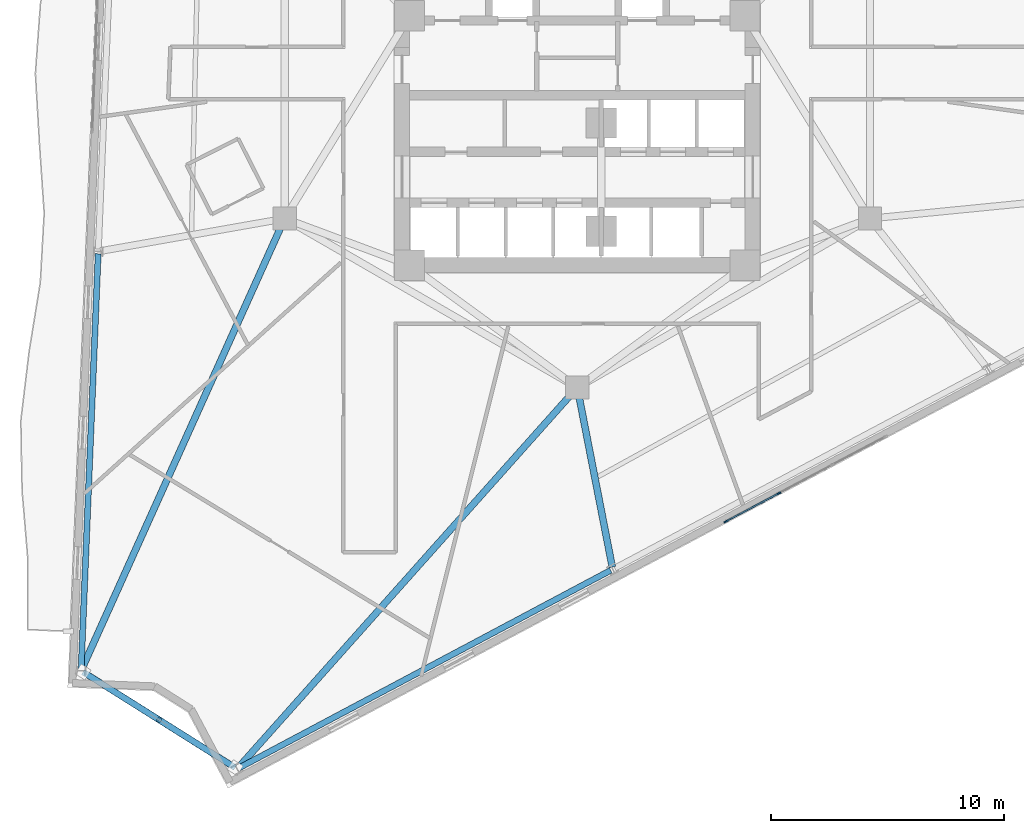
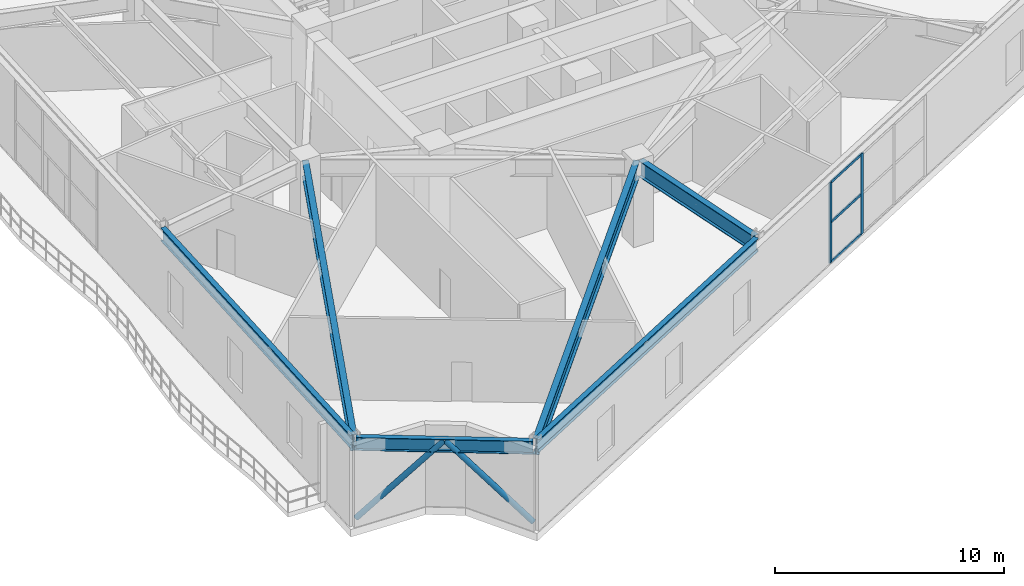
# One storey, part 3 of 22: 7 members, 6 beams, 1 element without a shape of its own.
"""IFC4 building model written with IfcOpenShell, lengths in metres."""

from ifc_helpers import new_model, si_unit, direction, frame, origin, origin_2d, place, context, subcontext, project, spatial, rectangle, hollow_circle, i_section, extrude, material, layer, layer_set, material_profile, profile_set, type_object, element, aggregate, save


model = new_model("IFC4")

# Units and contexts
model_context = context("Model", 3, precision=1e-05, world=origin(), true_north=direction((0.0, 1.0)))
body_context = subcontext(model_context, "Body", "Model", "MODEL_VIEW")
ifc_project = project(units=[si_unit("LENGTHUNIT", "METRE"), si_unit("AREAUNIT", "SQUARE_METRE"), si_unit("VOLUMEUNIT", "CUBIC_METRE"), si_unit("PLANEANGLEUNIT", "RADIAN"), si_unit("MASSUNIT", "GRAM", prefix="KILO")], contexts=[model_context])

# Site, building, storey
site_placement = place(None, origin())
site = spatial("IfcSite", under=ifc_project, at=site_placement, CompositionType="ELEMENT")
building_placement = place(site_placement, origin())
building = spatial("IfcBuilding", under=site, at=building_placement, Name="Apsidion Concourse Tower", CompositionType="ELEMENT")
storey_placement = place(building_placement, frame((0.0, 0.0, 160.89990234375)))
storey = spatial("IfcBuildingStorey", under=building, at=storey_placement, Name="L37", CompositionType="ELEMENT", Elevation=160.89990234375)

# Beams
ifc_material_1 = material(Name="Structural steel ASTM A992 Grade 50", Category="steel")
ifc_material_profile_1 = material_profile(ifc_material_1, i_section(OverallWidth=0.2919921875, OverallDepth=0.85888671875, WebThickness=0.01708984375, FlangeThickness=0.031005859375, at=origin_2d()), Name="W33X169")
ifc_profile_set_1 = profile_set([ifc_material_profile_1], Name="Structural steel ASTM A992 Grade 50")
beam_type_1 = type_object("IfcBeamType", Name="BM-G-W33", PredefinedType="USERDEFINED", material=ifc_profile_set_1)
beam_1_placement = place(storey_placement, frame((-12.650390625, -7.45068359375, 3.920654296875), z_axis=(-0.410615485001, -0.911808600243, 0.0), x_axis=(0.911808600243, -0.410615485001, 0.0)))
element("IfcBeam", 1, at=beam_1_placement, inside=storey, type_object=beam_type_1, Name="L37 Radial Floor Girder RAD-04", ObjectType="GIRDER", PredefinedType="USERDEFINED", context=body_context, shape_type="SweptSolid", body=[
    extrude(i_section(OverallWidth=0.2919921875, OverallDepth=0.85888671875, WebThickness=0.01708984375, FlangeThickness=0.031005859375, at=origin_2d()), origin(), (0.0, 0.0, 1.0), 20.964599609375),
])
beam_2_placement = place(storey_placement, frame((-0.146484375, -14.664306640625, 3.920654296875), z_axis=(-0.665534428073, -0.746367151642, 0.0), x_axis=(0.746367151642, -0.665534428073, 0.0)))
element("IfcBeam", 2, at=beam_2_placement, inside=storey, type_object=beam_type_1, Name="L37 Radial Floor Girder RAD-05", ObjectType="GIRDER", PredefinedType="USERDEFINED", context=body_context, shape_type="SweptSolid", body=[
    extrude(i_section(OverallWidth=0.2919921875, OverallDepth=0.85888671875, WebThickness=0.01708984375, FlangeThickness=0.031005859375, at=origin_2d()), origin(), (0.0, 0.0, 1.0), 21.616455078125),
])
beam_3_placement = place(storey_placement, frame((0.0419921875, -14.7158203125, 3.920654296875), z_axis=(0.191214845848, -0.981548207032, 0.0), x_axis=(0.981548207032, 0.191214845848, 0.0)))
element("IfcBeam", 3, at=beam_3_placement, inside=storey, type_object=beam_type_1, Name="L37 Radial Floor Girder RAD-06", ObjectType="GIRDER", PredefinedType="USERDEFINED", context=body_context, shape_type="SweptSolid", body=[
    extrude(i_section(OverallWidth=0.2919921875, OverallDepth=0.85888671875, WebThickness=0.01708984375, FlangeThickness=0.031005859375, at=origin_2d()), origin(), (0.0, 0.0, 1.0), 7.62890625),
])
ifc_material_profile_2 = material_profile(ifc_material_1, i_section(OverallWidth=0.256103515625, OverallDepth=0.693115234375, WebThickness=0.014404296875, FlangeThickness=0.023681640625, at=origin_2d()), Name="W27X114")
ifc_profile_set_2 = profile_set([ifc_material_profile_2], Name="Structural steel ASTM A992 Grade 50")
beam_type_2 = type_object("IfcBeamType", Name="BM-SP-W27", PredefinedType="SPANDREL", material=ifc_profile_set_2)
beam_4_placement = place(storey_placement, frame((-20.566162109375, -8.76123046875, 4.003662109375), z_axis=(-0.040970317559, -0.999160364045, 0.0), x_axis=(0.999160364045, -0.040970317559, 0.0)))
element("IfcBeam", 4, at=beam_4_placement, inside=storey, type_object=beam_type_2, Name="L37 Perimeter Spandrel Girder SP-03", PredefinedType="SPANDREL", context=body_context, shape_type="SweptSolid", body=[
    extrude(i_section(OverallWidth=0.256103515625, OverallDepth=0.693115234375, WebThickness=0.014404296875, FlangeThickness=0.023681640625, at=origin_2d()), origin(), (0.0, 0.0, 1.0), 17.811279296875),
])
beam_5_placement = place(storey_placement, frame((-21.21533203125, -26.710693359375, 4.003662109375), z_axis=(0.846430391353, -0.532499382718, 0.0), x_axis=(0.532499382718, 0.846430391353, 0.0)))
element("IfcBeam", 5, at=beam_5_placement, inside=storey, type_object=beam_type_2, Name="L37 Perimeter Spandrel Girder SP-04", PredefinedType="SPANDREL", context=body_context, shape_type="SweptSolid", body=[
    extrude(i_section(OverallWidth=0.256103515625, OverallDepth=0.693115234375, WebThickness=0.014404296875, FlangeThickness=0.023681640625, at=origin_2d()), origin(), (0.0, 0.0, 1.0), 7.71630859375),
])
beam_6_placement = place(storey_placement, frame((-14.51123046875, -30.825927734375, 4.003662109375), z_axis=(0.882942871348, 0.46948044255, 0.0), x_axis=(-0.46948044255, 0.882942871348, 0.0)))
element("IfcBeam", 6, at=beam_6_placement, inside=storey, type_object=beam_type_2, Name="L37 Perimeter Spandrel Girder SP-05", PredefinedType="SPANDREL", context=body_context, shape_type="SweptSolid", body=[
    extrude(i_section(OverallWidth=0.256103515625, OverallDepth=0.693115234375, WebThickness=0.014404296875, FlangeThickness=0.023681640625, at=origin_2d()), origin(), (0.0, 0.0, 1.0), 18.05615234375),
])

# Curtain wall, members
ifc_material_2 = material(Name="Insulated laminated low-E glass", Category="glass")
ifc_layer = layer(ifc_material_2, 0.2099609375)
ifc_layer_set = layer_set([ifc_layer], Name="Insulated laminated low-E glass")
curtain_wall_type = type_object("IfcCurtainWallType", Name="CW-SYS-03", PredefinedType="NOTDEFINED", material=ifc_layer_set)
curtain_wall_placement = place(storey_placement, origin())
curtain_wall = element("IfcCurtainWall", 7, at=curtain_wall_placement, inside=storey, type_object=curtain_wall_type, Name="L37 Sky Lobby Curtain Wall 5", PredefinedType="NOTDEFINED")
ifc_material_3 = material(Name="Anodised aluminium EN AW-6063 T6", Category="aluminium")
ifc_material_profile_3 = material_profile(ifc_material_3, rectangle(XDim=0.06494140625, YDim=0.179931640625, at=origin_2d()), Name="ALU MULLION 65x180")
ifc_profile_set_3 = profile_set([ifc_material_profile_3], Name="Anodised aluminium EN AW-6063 T6")
member_type_1 = type_object("IfcMemberType", Name="CWM-65X180", PredefinedType="MULLION", material=ifc_profile_set_3)
member_1_placement = place(storey_placement, frame((8.649658203125, -19.043212890625, 0.0), z_axis=(0.0, 0.0, 1.0), x_axis=(0.46947190693, -0.882947409874, 0.0)))
member_1 = element("IfcMember", 8, at=member_1_placement, type_object=member_type_1, Name="CW-03 mullion 3", PredefinedType="MULLION", context=body_context, shape_type="SweptSolid", body=[
    extrude(rectangle(XDim=0.06494140625, YDim=0.179931640625, at=origin_2d()), origin(), (0.0, 0.0, 1.0), 4.300048828125),
])
member_2_placement = place(storey_placement, frame((6.377197265625, -20.25146484375, 0.0), z_axis=(0.0, 0.0, 1.0), x_axis=(0.46947190693, -0.882947409874, 0.0)))
member_2 = element("IfcMember", 9, at=member_2_placement, type_object=member_type_1, Name="CW-03 mullion 4", PredefinedType="MULLION", context=body_context, shape_type="SweptSolid", body=[
    extrude(rectangle(XDim=0.06494140625, YDim=0.179931640625, at=origin_2d()), origin(), (0.0, 0.0, 1.0), 4.300048828125),
])
ifc_material_profile_4 = material_profile(ifc_material_3, rectangle(XDim=0.06494140625, YDim=0.139892578125, at=origin_2d()), Name="ALU TRANSOM 65x140")
ifc_profile_set_4 = profile_set([ifc_material_profile_4], Name="Anodised aluminium EN AW-6063 T6")
member_type_2 = type_object("IfcMemberType", Name="CWT-65X140", PredefinedType="USERDEFINED", material=ifc_profile_set_4)
member_3_placement = place(storey_placement, frame((8.620849609375, -19.05859375, 0.03271484375), z_axis=(-0.882934197132, -0.469496755618, 0.0), x_axis=(0.469496755618, -0.882934197132, 0.0)))
member_3 = element("IfcMember", 10, at=member_3_placement, type_object=member_type_2, Name="CW-03 transom 3.1", ObjectType="TRANSOM", PredefinedType="USERDEFINED", context=body_context, shape_type="SweptSolid", body=[
    extrude(rectangle(XDim=0.06494140625, YDim=0.139892578125, at=origin_2d()), origin(), (0.0, 0.0, 1.0), 2.508544921875),
])
member_4_placement = place(storey_placement, frame((8.620849609375, -19.05859375, 2.150146484375), z_axis=(-0.882934197132, -0.469496755618, 0.0), x_axis=(0.469496755618, -0.882934197132, 0.0)))
member_4 = element("IfcMember", 11, at=member_4_placement, type_object=member_type_2, Name="CW-03 transom 3.2", ObjectType="TRANSOM", PredefinedType="USERDEFINED", context=body_context, shape_type="SweptSolid", body=[
    extrude(rectangle(XDim=0.06494140625, YDim=0.139892578125, at=origin_2d()), origin(), (0.0, 0.0, 1.0), 2.508544921875),
])
member_5_placement = place(storey_placement, frame((8.620849609375, -19.05859375, 4.267578125), z_axis=(-0.882934197132, -0.469496755618, 0.0), x_axis=(0.469496755618, -0.882934197132, 0.0)))
member_5 = element("IfcMember", 12, at=member_5_placement, type_object=member_type_2, Name="CW-03 transom 3.3", ObjectType="TRANSOM", PredefinedType="USERDEFINED", context=body_context, shape_type="SweptSolid", body=[
    extrude(rectangle(XDim=0.06494140625, YDim=0.139892578125, at=origin_2d()), origin(), (0.0, 0.0, 1.0), 2.508544921875),
])
aggregate(curtain_wall, [member_1, member_2, member_3, member_4, member_5])

# Members
ifc_material_4 = material(Name="Structural steel ASTM A500 Grade C", Category="steel")
ifc_material_profile_5 = material_profile(ifc_material_4, hollow_circle(Radius=0.136474609375, WallThickness=0.01611328125, at=origin_2d()), Name="CHS273X16")
ifc_profile_set_5 = profile_set([ifc_material_profile_5], Name="Structural steel ASTM A500 Grade C")
member_type_3 = type_object("IfcMemberType", Name="MB-BR-CHS273", PredefinedType="BRACE", material=ifc_profile_set_5)
for number, where, z_axis, x_axis, name in (
    (13, (-21.21533203125, -26.710693359375, 0.0), (0.56892469816, -0.357917264879, 0.740418745931), (0.532499382718, 0.846430391353, 0.0), "L37 Corner Step-Transfer Chevron Brace KN-1-1"),
    (14, (-14.68408203125, -30.819580078125, 0.0), (-0.56892469816, 0.357917264879, 0.740418745931), (-0.532499382718, -0.846430391353, 0.0), "L37 Corner Step-Transfer Chevron Brace KN-1-2"),
):
    element("IfcMember", number, at=place(storey_placement, frame(where, z_axis=z_axis, x_axis=x_axis)), inside=storey, type_object=member_type_3, Name=name, PredefinedType="BRACE", context=body_context, shape_type="SweptSolid", body=[
        extrude(hollow_circle(Radius=0.136474609375, WallThickness=0.01611328125, at=origin_2d()), origin(), (0.0, 0.0, 1.0), 5.739990234375),
    ])

save(model, "model.ifc")
